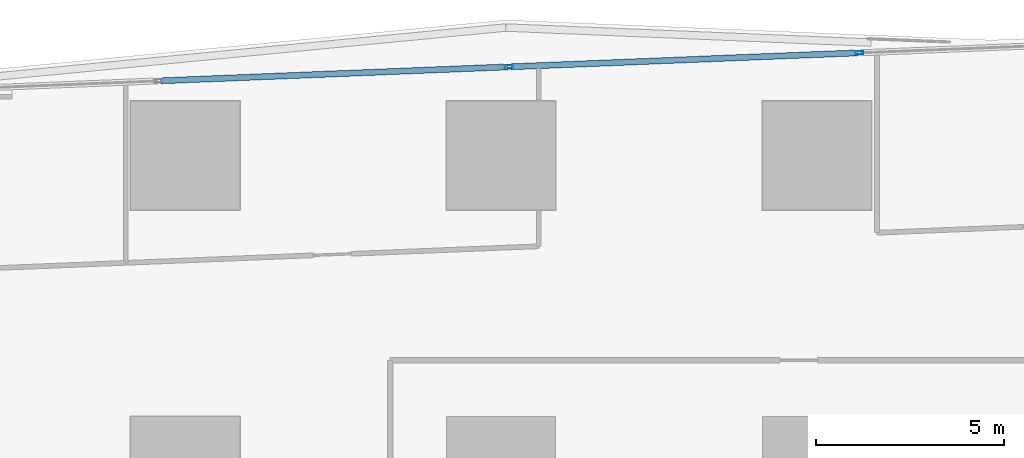
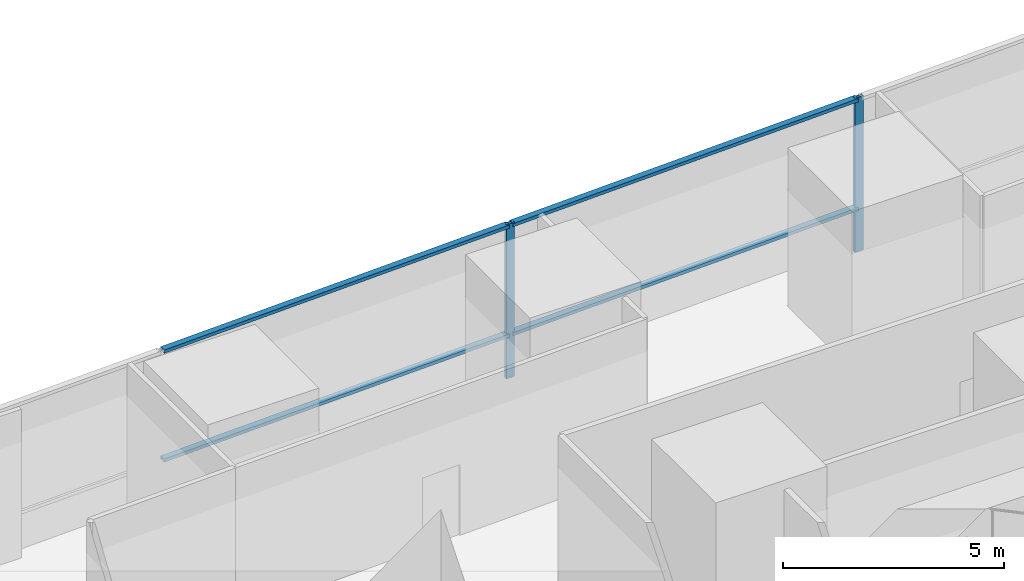
# One storey, part 10 of 44: 6 members, 1 element without a shape of its own.
"""IFC4 building model written with IfcOpenShell, lengths in metres."""

from ifc_helpers import new_model, si_unit, direction, frame, origin, origin_2d, place, context, subcontext, project, spatial, hollow_rectangle, extrude, material, material_profile, profile_set, type_object, element, aggregate, save


model = new_model("IFC4")

# Units and contexts
model_context = context("Model", 3, precision=1e-05, world=origin(), true_north=direction((0.0, 1.0)))
body_context = subcontext(model_context, "Body", "Model", "MODEL_VIEW")
ifc_project = project(units=[si_unit("LENGTHUNIT", "METRE"), si_unit("AREAUNIT", "SQUARE_METRE"), si_unit("VOLUMEUNIT", "CUBIC_METRE"), si_unit("PLANEANGLEUNIT", "RADIAN"), si_unit("MASSUNIT", "GRAM", prefix="KILO")], contexts=[model_context])

# Site, building, storey
site_placement = place(None, origin())
site = spatial("IfcSite", under=ifc_project, at=site_placement, CompositionType="ELEMENT")
building_placement = place(site_placement, origin())
building = spatial("IfcBuilding", under=site, at=building_placement, Name="Rekha Terrace Tower", CompositionType="ELEMENT")
storey_placement = place(building_placement, frame((0.0, 0.0, 90.800048828125)))
storey = spatial("IfcBuildingStorey", under=building, at=storey_placement, Name="L22", CompositionType="ELEMENT", Elevation=90.800048828125)

# Curtain wall, members
ifc_material_1 = material(Name="Aluminium framing", Category="aluminium")
curtain_wall_type = type_object("IfcCurtainWallType", Name="CW5 sky garden glazing", PredefinedType="USERDEFINED", material=ifc_material_1)
curtain_wall_placement = place(storey_placement, origin())
curtain_wall = element("IfcCurtainWall", 1, at=curtain_wall_placement, inside=storey, type_object=curtain_wall_type, Name="CW5 sky garden curtain wall", ObjectType="SKY GARDEN CURTAIN WALL", PredefinedType="USERDEFINED")
ifc_material_2 = material(Name="Aluminium mullion section", Category="aluminium")
ifc_material_profile_1 = material_profile(ifc_material_2, hollow_rectangle(XDim=0.090087890625, YDim=0.219970703125, WallThickness=0.00390625, at=origin_2d()), Name="AL RHS 90x220")
ifc_profile_set_1 = profile_set([ifc_material_profile_1], Name="Aluminium mullion section")
member_type_1 = type_object("IfcMemberType", Name="CW5 mullion RHS 90 x 220", PredefinedType="MULLION", material=ifc_profile_set_1)
member_1_placement = place(storey_placement, frame((34.725830078125, 61.526611328125, 0.0), z_axis=(0.0, 0.0, 1.0), x_axis=(0.040031987119, -0.999198398721, 0.0)))
member_1 = element("IfcMember", 2, at=member_1_placement, type_object=member_type_1, Name="CW5 mullion 2", PredefinedType="MULLION", context=body_context, shape_type="SweptSolid", body=[
    extrude(hollow_rectangle(XDim=0.090087890625, YDim=0.219970703125, WallThickness=0.00390625, at=origin_2d()), origin(), (0.0, 0.0, 1.0), 4.25),
])
member_2_placement = place(storey_placement, frame((25.413818359375, 61.153564453125, 0.0), z_axis=(0.0, 0.0, 1.0), x_axis=(0.040031987119, -0.999198398721, 0.0)))
member_2 = element("IfcMember", 3, at=member_2_placement, type_object=member_type_1, Name="CW5 mullion 3", PredefinedType="MULLION", context=body_context, shape_type="SweptSolid", body=[
    extrude(hollow_rectangle(XDim=0.090087890625, YDim=0.219970703125, WallThickness=0.00390625, at=origin_2d()), origin(), (0.0, 0.0, 1.0), 4.25),
])
ifc_material_3 = material(Name="Aluminium transom section", Category="aluminium")
ifc_material_profile_2 = material_profile(ifc_material_3, hollow_rectangle(XDim=0.159912109375, YDim=0.090087890625, WallThickness=0.0029296875, at=origin_2d()), Name="AL RHS 160x90")
ifc_profile_set_2 = profile_set([ifc_material_profile_2], Name="Aluminium transom section")
member_type_2 = type_object("IfcMemberType", Name="CW5 transom RHS 90 x 160", PredefinedType="USERDEFINED", material=ifc_profile_set_2)
member_3_placement = place(storey_placement, frame((34.680908203125, 61.52490234375, 1.199951171875), z_axis=(-0.999198802232, -0.040021914221, 0.0), x_axis=(0.040021914221, -0.999198802232, 0.0)))
member_3 = element("IfcMember", 4, at=member_3_placement, type_object=member_type_2, Name="CW5 transom 2.2", ObjectType="TRANSOM", PredefinedType="USERDEFINED", context=body_context, shape_type="SweptSolid", body=[
    extrude(hollow_rectangle(XDim=0.159912109375, YDim=0.090087890625, WallThickness=0.0029296875, at=origin_2d()), origin(), (0.0, 0.0, 1.0), 9.2294921875),
])
member_4_placement = place(storey_placement, frame((34.680908203125, 61.52490234375, 4.204833984375), z_axis=(-0.999198802232, -0.040021914221, 0.0), x_axis=(0.040021914221, -0.999198802232, 0.0)))
member_4 = element("IfcMember", 5, at=member_4_placement, type_object=member_type_2, Name="CW5 transom 2.3", ObjectType="TRANSOM", PredefinedType="USERDEFINED", context=body_context, shape_type="SweptSolid", body=[
    extrude(hollow_rectangle(XDim=0.159912109375, YDim=0.090087890625, WallThickness=0.0029296875, at=origin_2d()), origin(), (0.0, 0.0, 1.0), 9.2294921875),
])
member_5_placement = place(storey_placement, frame((25.368896484375, 61.15185546875, 1.199951171875), z_axis=(-0.999197744072, -0.040048323835, 0.0), x_axis=(0.040048323835, -0.999197744072, 0.0)))
member_5 = element("IfcMember", 6, at=member_5_placement, type_object=member_type_2, Name="CW5 transom 3.2", ObjectType="TRANSOM", PredefinedType="USERDEFINED", context=body_context, shape_type="SweptSolid", body=[
    extrude(hollow_rectangle(XDim=0.159912109375, YDim=0.090087890625, WallThickness=0.0029296875, at=origin_2d()), origin(), (0.0, 0.0, 1.0), 9.2294921875),
])
member_6_placement = place(storey_placement, frame((25.368896484375, 61.15185546875, 4.204833984375), z_axis=(-0.999197744072, -0.040048323835, 0.0), x_axis=(0.040048323835, -0.999197744072, 0.0)))
member_6 = element("IfcMember", 7, at=member_6_placement, type_object=member_type_2, Name="CW5 transom 3.3", ObjectType="TRANSOM", PredefinedType="USERDEFINED", context=body_context, shape_type="SweptSolid", body=[
    extrude(hollow_rectangle(XDim=0.159912109375, YDim=0.090087890625, WallThickness=0.0029296875, at=origin_2d()), origin(), (0.0, 0.0, 1.0), 9.2294921875),
])
aggregate(curtain_wall, [member_1, member_2, member_3, member_4, member_5, member_6])

save(model, "model.ifc")
